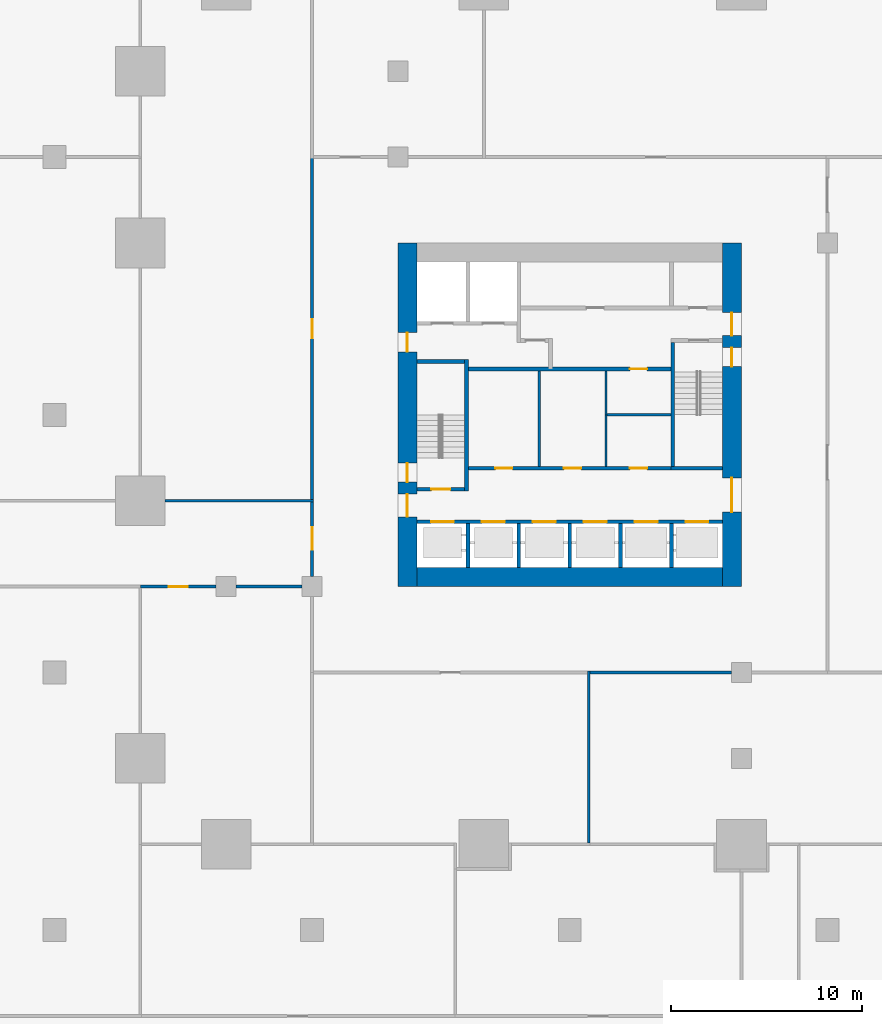
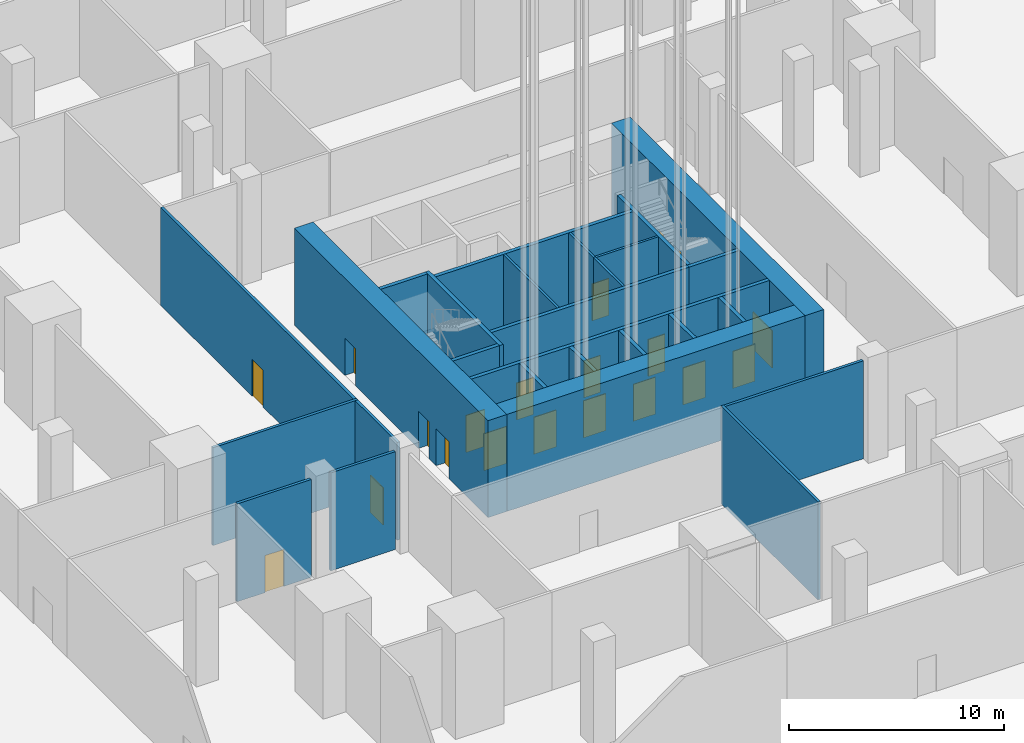
# One storey, part 25 of 68: 27 walls, 20 doors, 20 openings.
"""IFC4 building model written with IfcOpenShell, lengths in metres."""

from ifc_helpers import new_model, si_unit, direction, frame, frame_2d, origin, place, context, subcontext, project, spatial, rectangle, extrude, material, layer, layer_set, type_object, element, fill, save


model = new_model("IFC4")

# Units and contexts
model_context = context("Model", 3, precision=1e-05, world=origin(), true_north=direction((0.0, 1.0)))
body_context = subcontext(model_context, "Body", "Model", "MODEL_VIEW")
ifc_project = project(units=[si_unit("LENGTHUNIT", "METRE"), si_unit("AREAUNIT", "SQUARE_METRE"), si_unit("VOLUMEUNIT", "CUBIC_METRE"), si_unit("PLANEANGLEUNIT", "RADIAN"), si_unit("MASSUNIT", "GRAM", prefix="KILO")], contexts=[model_context])

# Site, building, storey
site_placement = place(None, origin())
site = spatial("IfcSite", under=ifc_project, at=site_placement, CompositionType="ELEMENT")
building_placement = place(site_placement, origin())
building = spatial("IfcBuilding", under=site, at=building_placement, Name="Altepetl Exchange Towers", CompositionType="ELEMENT")
storey_placement = place(building_placement, origin())
storey = spatial("IfcBuildingStorey", under=building, at=storey_placement, Name="L00 Ground concourse", CompositionType="ELEMENT", Elevation=0.0)

# Wall, openings, doors
ifc_material_1 = material(Name="Concrete C70/85", Category="concrete")
ifc_layer_1 = layer(ifc_material_1, 1.0)
ifc_layer_set_1 = layer_set([ifc_layer_1], Name="Concrete C70/85")
wall_type_1 = type_object("IfcWallType", Name="Core wall 1000 reinforced concrete", PredefinedType="SHEAR", material=ifc_layer_set_1)
wall_1_placement = place(storey_placement, frame((58.0, 40.5, 0.0), z_axis=(0.0, 0.0, 1.0), x_axis=(0.0, 1.0, 0.0)))
wall_1 = element("IfcWall", 1, at=wall_1_placement, inside=storey, type_object=wall_type_1, Name="wall:A:L00:K-coreE", PredefinedType="SHEAR", context=body_context, shape_type="SweptSolid", body=[
    extrude(rectangle(XDim=18.0, YDim=1.0, at=frame_2d((9.0, 0.0))), origin(), (0.0, 0.0, 1.0), 5.5),
])
opening_1_placement = place(wall_1_placement, frame((13.14990234375, 0.0, 0.0)))
opening_1 = element("IfcOpeningElement", 2, at=opening_1_placement, cuts=wall_1, Name="Opening L00.A60", PredefinedType="OPENING", context=body_context, shape_type="SweptSolid", body=[
    extrude(rectangle(XDim=1.199951171875, YDim=2.10009765625, at=frame_2d((0.60009765625, 1.050048828125))), frame((0.0, 0.510009765625, 0.0), z_axis=(0.0, -1.0, 0.0), x_axis=(1.0, 0.0, 0.0)), (0.0, 0.0, 1.0), 1.02001953125),
])
opening_2_placement = place(wall_1_placement, frame((3.89990234375, 0.0, 0.0)))
opening_2 = element("IfcOpeningElement", 3, at=opening_2_placement, cuts=wall_1, Name="Opening L00.A61", PredefinedType="OPENING", context=body_context, shape_type="SweptSolid", body=[
    extrude(rectangle(XDim=1.800048828125, YDim=2.10009765625, at=frame_2d((0.89990234375, 1.050048828125))), frame((0.0, 0.510009765625, 0.0), z_axis=(0.0, -1.0, 0.0), x_axis=(1.0, 0.0, 0.0)), (0.0, 0.0, 1.0), 1.02001953125),
])
opening_3_placement = place(wall_1_placement, frame((11.52490234375, 0.0, 0.0)))
opening_3 = element("IfcOpeningElement", 4, at=opening_3_placement, cuts=wall_1, Name="Opening L00.A66", PredefinedType="OPENING", context=body_context, shape_type="SweptSolid", body=[
    extrude(rectangle(XDim=1.0, YDim=2.10009765625, at=frame_2d((0.5, 1.050048828125))), frame((0.0, 0.510009765625, 0.0), z_axis=(0.0, -1.0, 0.0), x_axis=(1.0, 0.0, 0.0)), (0.0, 0.0, 1.0), 1.02001953125),
])
ifc_material_2 = material(Name="Steel and timber fire door", Category="steel")
door_type_1 = type_object("IfcDoorType", Name="Fire door 1000 x 2100 stair and lobby", OperationType="SINGLE_SWING_LEFT", PredefinedType="DOOR", material=ifc_material_2)
door_1_placement = place(opening_3_placement, origin())
door_1 = element("IfcDoor", 5, at=door_1_placement, inside=storey, type_object=door_type_1, Name="door:A:L00:K-dS2x", OperationType="SINGLE_SWING_RIGHT", OverallHeight=2.10009765625, OverallWidth=1.0, PredefinedType="DOOR", context=body_context, shape_type="SweptSolid", body=[
    extrude(rectangle(XDim=1.0, YDim=2.10009765625, at=frame_2d((0.5, 1.050048828125))), frame((0.0, 0.02490234375, 0.0), z_axis=(0.0, -1.0, 0.0), x_axis=(1.0, 0.0, 0.0)), (0.0, 0.0, 1.0), 0.050048828125),
])
fill(opening_3, door_1)
door_type_2 = type_object("IfcDoorType", Name="Fire door 1200 x 2100 lobby entry", OperationType="SINGLE_SWING_LEFT", PredefinedType="DOOR", material=ifc_material_2)
door_2_placement = place(opening_1_placement, origin())
door_2 = element("IfcDoor", 6, at=door_2_placement, inside=storey, type_object=door_type_2, Name="door:A:L00:K-dLNE", OperationType="SINGLE_SWING_RIGHT", OverallHeight=2.10009765625, OverallWidth=1.199951171875, PredefinedType="DOOR", context=body_context, shape_type="SweptSolid", body=[
    extrude(rectangle(XDim=1.199951171875, YDim=2.10009765625, at=frame_2d((0.60009765625, 1.050048828125))), frame((0.0, 0.02490234375, 0.0), z_axis=(0.0, -1.0, 0.0), x_axis=(1.0, 0.0, 0.0)), (0.0, 0.0, 1.0), 0.050048828125),
])
fill(opening_1, door_2)
door_type_3 = type_object("IfcDoorType", Name="Fire door 1800 x 2100 lobby entry", OperationType="DOUBLE_DOOR_SINGLE_SWING", PredefinedType="DOOR", material=ifc_material_2)
door_3_placement = place(opening_2_placement, origin())
door_3 = element("IfcDoor", 7, at=door_3_placement, inside=storey, type_object=door_type_3, Name="door:A:L00:K-dLSE", OperationType="DOUBLE_DOOR_SINGLE_SWING", OverallHeight=2.10009765625, OverallWidth=1.800048828125, PredefinedType="DOOR", context=body_context, shape_type="SweptSolid", body=[
    extrude(rectangle(XDim=1.800048828125, YDim=2.10009765625, at=frame_2d((0.89990234375, 1.050048828125))), frame((0.0, 0.02490234375, 0.0), z_axis=(0.0, -1.0, 0.0), x_axis=(1.0, 0.0, 0.0)), (0.0, 0.0, 1.0), 0.050048828125),
])
fill(opening_2, door_3)

# Wall
wall_2_placement = place(storey_placement, frame((41.5, 41.0, 0.0)))
element("IfcWall", 8, at=wall_2_placement, inside=storey, type_object=wall_type_1, Name="wall:A:L00:K-coreS", PredefinedType="SHEAR", context=body_context, shape_type="SweptSolid", body=[
    extrude(rectangle(XDim=16.0, YDim=1.0, at=frame_2d((8.0, 0.0))), origin(), (0.0, 0.0, 1.0), 5.5),
])

# Wall, openings, doors
wall_3_placement = place(storey_placement, frame((41.0, 40.5, 0.0), z_axis=(0.0, 0.0, 1.0), x_axis=(0.0, 1.0, 0.0)))
wall_3 = element("IfcWall", 9, at=wall_3_placement, inside=storey, type_object=wall_type_1, Name="wall:A:L00:K-coreW", PredefinedType="SHEAR", context=body_context, shape_type="SweptSolid", body=[
    extrude(rectangle(XDim=18.0, YDim=1.0, at=frame_2d((9.0, 0.0))), origin(), (0.0, 0.0, 1.0), 5.5),
])
opening_4_placement = place(wall_3_placement, frame((3.64990234375, 0.0, 0.0)))
opening_4 = element("IfcOpeningElement", 10, at=opening_4_placement, cuts=wall_3, Name="Opening L00.A62", PredefinedType="OPENING", context=body_context, shape_type="SweptSolid", body=[
    extrude(rectangle(XDim=1.199951171875, YDim=2.10009765625, at=frame_2d((0.60009765625, 1.050048828125))), frame((0.0, 0.510009765625, 0.0), z_axis=(0.0, -1.0, 0.0), x_axis=(1.0, 0.0, 0.0)), (0.0, 0.0, 1.0), 1.02001953125),
])
opening_5_placement = place(wall_3_placement, frame((5.47509765625, 0.0, 0.0)))
opening_5 = element("IfcOpeningElement", 11, at=opening_5_placement, cuts=wall_3, Name="Opening L00.A64", PredefinedType="OPENING", context=body_context, shape_type="SweptSolid", body=[
    extrude(rectangle(XDim=1.0, YDim=2.10009765625, at=frame_2d((0.5, 1.050048828125))), frame((0.0, 0.510009765625, 0.0), z_axis=(0.0, -1.0, 0.0), x_axis=(1.0, 0.0, 0.0)), (0.0, 0.0, 1.0), 1.02001953125),
])
opening_6_placement = place(wall_3_placement, frame((12.300048828125, 0.0, 0.0)))
opening_6 = element("IfcOpeningElement", 12, at=opening_6_placement, cuts=wall_3, Name="Opening L00.A68", PredefinedType="OPENING", context=body_context, shape_type="SweptSolid", body=[
    extrude(rectangle(XDim=1.0, YDim=2.10009765625, at=frame_2d((0.5, 1.050048828125))), frame((0.0, 0.510009765625, 0.0), z_axis=(0.0, -1.0, 0.0), x_axis=(1.0, 0.0, 0.0)), (0.0, 0.0, 1.0), 1.02001953125),
])
door_4_placement = place(opening_5_placement, frame((1.0, 0.0, 0.0), x_axis=(-1.0, 0.0, 0.0)))
door_4 = element("IfcDoor", 13, at=door_4_placement, inside=storey, type_object=door_type_1, Name="door:A:L00:K-dS1x", OperationType="SINGLE_SWING_RIGHT", OverallHeight=2.10009765625, OverallWidth=1.0, PredefinedType="DOOR", context=body_context, shape_type="SweptSolid", body=[
    extrude(rectangle(XDim=1.0, YDim=2.10009765625, at=frame_2d((0.5, 1.050048828125))), frame((0.0, 0.02490234375, 0.0), z_axis=(0.0, -1.0, 0.0), x_axis=(1.0, 0.0, 0.0)), (0.0, 0.0, 1.0), 0.050048828125),
])
fill(opening_5, door_4)
door_5_placement = place(opening_6_placement, frame((1.0, 0.0, 0.0), x_axis=(-1.0, 0.0, 0.0)))
door_5 = element("IfcDoor", 14, at=door_5_placement, inside=storey, type_object=door_type_1, Name="door:A:L00:K-dffW", OperationType="SINGLE_SWING_LEFT", OverallHeight=2.10009765625, OverallWidth=1.0, PredefinedType="DOOR", context=body_context, shape_type="SweptSolid", body=[
    extrude(rectangle(XDim=1.0, YDim=2.10009765625, at=frame_2d((0.5, 1.050048828125))), frame((0.0, 0.02490234375, 0.0), z_axis=(0.0, -1.0, 0.0), x_axis=(1.0, 0.0, 0.0)), (0.0, 0.0, 1.0), 0.050048828125),
])
fill(opening_6, door_5)
door_6_placement = place(opening_4_placement, frame((1.199951171875, 0.0, 0.0), x_axis=(-1.0, 0.0, 0.0)))
door_6 = element("IfcDoor", 15, at=door_6_placement, inside=storey, type_object=door_type_2, Name="door:A:L00:K-dLSW", OperationType="SINGLE_SWING_LEFT", OverallHeight=2.10009765625, OverallWidth=1.199951171875, PredefinedType="DOOR", context=body_context, shape_type="SweptSolid", body=[
    extrude(rectangle(XDim=1.199951171875, YDim=2.10009765625, at=frame_2d((0.60009765625, 1.050048828125))), frame((0.0, 0.02490234375, 0.0), z_axis=(0.0, -1.0, 0.0), x_axis=(1.0, 0.0, 0.0)), (0.0, 0.0, 1.0), 0.050048828125),
])
fill(opening_4, door_6)

# Wall, opening, door
ifc_material_3 = material(Name="Concrete blockwork", Category="masonry")
ifc_layer_2 = layer(ifc_material_3, 0.199951171875)
ifc_layer_set_2 = layer_set([ifc_layer_2], Name="Concrete blockwork")
wall_type_2 = type_object("IfcWallType", Name="Lobby wall 200 blockwork", PredefinedType="PARTITIONING", material=ifc_layer_set_2)
wall_4_placement = place(storey_placement, frame((44.199951171875, 51.89990234375, 0.0)))
wall_4 = element("IfcWall", 16, at=wall_4_placement, inside=storey, type_object=wall_type_2, Name="wall:A:L00:K-zoneN", PredefinedType="PARTITIONING", context=body_context, shape_type="SweptSolid", body=[
    extrude(rectangle(XDim=10.60009765625, YDim=0.199951171875, at=frame_2d((5.300048828125, 0.0))), origin(), (0.0, 0.0, 1.0), 5.5),
])
opening_7_placement = place(wall_4_placement, frame((8.449951171875, 0.0, 0.0)))
opening_7 = element("IfcOpeningElement", 17, at=opening_7_placement, cuts=wall_4, Name="Opening L00.A74", PredefinedType="OPENING", context=body_context, shape_type="SweptSolid", body=[
    extrude(rectangle(XDim=0.89990234375, YDim=2.10009765625, at=frame_2d((0.449951171875, 1.050048828125))), frame((0.0, 0.10986328125, 0.0), z_axis=(0.0, -1.0, 0.0), x_axis=(1.0, 0.0, 0.0)), (0.0, 0.0, 1.0), 0.219970703125),
])
door_type_4 = type_object("IfcDoorType", Name="Fire door 900 x 2100 service room", OperationType="SINGLE_SWING_LEFT", PredefinedType="DOOR", material=ifc_material_2)
door_7_placement = place(opening_7_placement, frame((0.89990234375, 0.0, 0.0), x_axis=(-1.0, 0.0, 0.0)))
door_7 = element("IfcDoor", 18, at=door_7_placement, inside=storey, type_object=door_type_4, Name="door:A:L00:K-dz4", OperationType="SINGLE_SWING_LEFT", OverallHeight=2.10009765625, OverallWidth=0.89990234375, PredefinedType="DOOR", context=body_context, shape_type="SweptSolid", body=[
    extrude(rectangle(XDim=0.89990234375, YDim=2.10009765625, at=frame_2d((0.449951171875, 1.050048828125))), frame((0.0, 0.02490234375, 0.0), z_axis=(0.0, -1.0, 0.0), x_axis=(1.0, 0.0, 0.0)), (0.0, 0.0, 1.0), 0.050048828125),
])
fill(opening_7, door_7)

# Wall, openings, doors
wall_5_placement = place(storey_placement, frame((44.199951171875, 46.699951171875, 0.0)))
wall_5 = element("IfcWall", 19, at=wall_5_placement, inside=storey, type_object=wall_type_2, Name="wall:A:L00:K-zoneS", PredefinedType="PARTITIONING", context=body_context, shape_type="SweptSolid", body=[
    extrude(rectangle(XDim=10.60009765625, YDim=0.199951171875, at=frame_2d((5.300048828125, 0.0))), origin(), (0.0, 0.0, 1.0), 5.5),
])
opening_8_placement = place(wall_5_placement, frame((1.39990234375, 0.0, 0.0)))
opening_8 = element("IfcOpeningElement", 20, at=opening_8_placement, cuts=wall_5, Name="Opening L00.A71", PredefinedType="OPENING", context=body_context, shape_type="SweptSolid", body=[
    extrude(rectangle(XDim=0.89990234375, YDim=2.10009765625, at=frame_2d((0.449951171875, 1.050048828125))), frame((0.0, 0.10986328125, 0.0), z_axis=(0.0, -1.0, 0.0), x_axis=(1.0, 0.0, 0.0)), (0.0, 0.0, 1.0), 0.219970703125),
])
opening_9_placement = place(wall_5_placement, frame((5.0, 0.0, 0.0)))
opening_9 = element("IfcOpeningElement", 21, at=opening_9_placement, cuts=wall_5, Name="Opening L00.A72", PredefinedType="OPENING", context=body_context, shape_type="SweptSolid", body=[
    extrude(rectangle(XDim=0.89990234375, YDim=2.10009765625, at=frame_2d((0.449951171875, 1.050048828125))), frame((0.0, 0.10986328125, 0.0), z_axis=(0.0, -1.0, 0.0), x_axis=(1.0, 0.0, 0.0)), (0.0, 0.0, 1.0), 0.219970703125),
])
opening_10_placement = place(wall_5_placement, frame((8.449951171875, 0.0, 0.0)))
opening_10 = element("IfcOpeningElement", 22, at=opening_10_placement, cuts=wall_5, Name="Opening L00.A73", PredefinedType="OPENING", context=body_context, shape_type="SweptSolid", body=[
    extrude(rectangle(XDim=0.89990234375, YDim=2.10009765625, at=frame_2d((0.449951171875, 1.050048828125))), frame((0.0, 0.10986328125, 0.0), z_axis=(0.0, -1.0, 0.0), x_axis=(1.0, 0.0, 0.0)), (0.0, 0.0, 1.0), 0.219970703125),
])
door_8_placement = place(opening_8_placement, origin())
door_8 = element("IfcDoor", 23, at=door_8_placement, inside=storey, type_object=door_type_4, Name="door:A:L00:K-dz1", OperationType="SINGLE_SWING_LEFT", OverallHeight=2.10009765625, OverallWidth=0.89990234375, PredefinedType="DOOR", context=body_context, shape_type="SweptSolid", body=[
    extrude(rectangle(XDim=0.89990234375, YDim=2.10009765625, at=frame_2d((0.449951171875, 1.050048828125))), frame((0.0, 0.02490234375, 0.0), z_axis=(0.0, -1.0, 0.0), x_axis=(1.0, 0.0, 0.0)), (0.0, 0.0, 1.0), 0.050048828125),
])
fill(opening_8, door_8)
door_9_placement = place(opening_9_placement, origin())
door_9 = element("IfcDoor", 24, at=door_9_placement, inside=storey, type_object=door_type_4, Name="door:A:L00:K-dz2", OperationType="SINGLE_SWING_RIGHT", OverallHeight=2.10009765625, OverallWidth=0.89990234375, PredefinedType="DOOR", context=body_context, shape_type="SweptSolid", body=[
    extrude(rectangle(XDim=0.89990234375, YDim=2.10009765625, at=frame_2d((0.449951171875, 1.050048828125))), frame((0.0, 0.02490234375, 0.0), z_axis=(0.0, -1.0, 0.0), x_axis=(1.0, 0.0, 0.0)), (0.0, 0.0, 1.0), 0.050048828125),
])
fill(opening_9, door_9)
door_10_placement = place(opening_10_placement, origin())
door_10 = element("IfcDoor", 25, at=door_10_placement, inside=storey, type_object=door_type_4, Name="door:A:L00:K-dz3", OperationType="SINGLE_SWING_RIGHT", OverallHeight=2.10009765625, OverallWidth=0.89990234375, PredefinedType="DOOR", context=body_context, shape_type="SweptSolid", body=[
    extrude(rectangle(XDim=0.89990234375, YDim=2.10009765625, at=frame_2d((0.449951171875, 1.050048828125))), frame((0.0, 0.02490234375, 0.0), z_axis=(0.0, -1.0, 0.0), x_axis=(1.0, 0.0, 0.0)), (0.0, 0.0, 1.0), 0.050048828125),
])
fill(opening_10, door_10)

# Walls
ifc_material_4 = material(Name="Gypsum board on steel studs", Category="steel")
ifc_layer_3 = layer(ifc_material_4, 0.125)
ifc_layer_set_3 = layer_set([ifc_layer_3], Name="Gypsum board on steel studs")
wall_type_3 = type_object("IfcWallType", Name="Partition 125 gypsum board on steel studs", PredefinedType="PARTITIONING", material=ifc_layer_set_3)
wall_6_placement = place(storey_placement, frame((47.89990234375, 46.800048828125, 0.0), z_axis=(0.0, 0.0, 1.0), x_axis=(0.0, 1.0, 0.0)))
element("IfcWall", 26, at=wall_6_placement, inside=storey, type_object=wall_type_3, Name="wall:A:L00:K-zp1", PredefinedType="PARTITIONING", context=body_context, shape_type="SweptSolid", body=[
    extrude(rectangle(XDim=5.0, YDim=0.125, at=frame_2d((2.5, 0.0))), origin(), (0.0, 0.0, 1.0), 5.5),
])
wall_7_placement = place(storey_placement, frame((51.39990234375, 46.800048828125, 0.0), z_axis=(0.0, 0.0, 1.0), x_axis=(0.0, 1.0, 0.0)))
element("IfcWall", 27, at=wall_7_placement, inside=storey, type_object=wall_type_3, Name="wall:A:L00:K-zp2", PredefinedType="PARTITIONING", context=body_context, shape_type="SweptSolid", body=[
    extrude(rectangle(XDim=2.762451171875, YDim=0.125, at=frame_2d((1.38134765625, 0.0))), origin(), (0.0, 0.0, 1.0), 5.5),
])
wall_8_placement = place(storey_placement, frame((54.800048828125, 49.5, 0.0), z_axis=(0.0, 0.0, 1.0), x_axis=(-1.0, 0.0, 0.0)))
element("IfcWall", 28, at=wall_8_placement, inside=storey, type_object=wall_type_3, Name="wall:A:L00:K-zp3", PredefinedType="PARTITIONING", context=body_context, shape_type="SweptSolid", body=[
    extrude(rectangle(XDim=3.337646484375, YDim=0.125, at=frame_2d((1.6689453125, 0.0))), origin(), (0.0, 0.0, 1.0), 5.5),
])
wall_9_placement = place(storey_placement, frame((51.39990234375, 49.5, 0.0), z_axis=(0.0, 0.0, 1.0), x_axis=(0.0, 1.0, 0.0)))
element("IfcWall", 29, at=wall_9_placement, inside=storey, type_object=wall_type_3, Name="wall:A:L00:K-zp4", PredefinedType="PARTITIONING", context=body_context, shape_type="SweptSolid", body=[
    extrude(rectangle(XDim=2.300048828125, YDim=0.125, at=frame_2d((1.14990234375, 0.0))), origin(), (0.0, 0.0, 1.0), 5.5),
])

# Wall, opening, door
ifc_layer_4 = layer(ifc_material_4, 0.14990234375)
ifc_layer_set_4 = layer_set([ifc_layer_4], Name="Gypsum board on steel studs")
wall_type_4 = type_object("IfcWallType", Name="Podium partition 150", PredefinedType="PARTITIONING", material=ifc_layer_set_4)
wall_10_placement = place(storey_placement, frame((27.0, 40.5, 0.0)))
wall_10 = element("IfcWall", 30, at=wall_10_placement, inside=storey, type_object=wall_type_4, Name="wall:P:L00:P125", PredefinedType="PARTITIONING", context=body_context, shape_type="SweptSolid", body=[
    extrude(rectangle(XDim=3.97998046875, YDim=0.14990234375, at=frame_2d((1.989990234375, 0.0))), origin(), (0.0, 0.0, 1.0), 5.550048828125),
])
opening_11_placement = place(wall_10_placement, frame((1.5, 0.0, 0.0)))
opening_11 = element("IfcOpeningElement", 31, at=opening_11_placement, cuts=wall_10, Name="Opening L00.P024", PredefinedType="OPENING", context=body_context, shape_type="SweptSolid", body=[
    extrude(rectangle(XDim=1.0, YDim=2.10009765625, at=frame_2d((0.5, 1.050048828125))), frame((0.0, 0.0849609375, 0.0), z_axis=(0.0, -1.0, 0.0), x_axis=(1.0, 0.0, 0.0)), (0.0, 0.0, 1.0), 0.169921875),
])
door_type_5 = type_object("IfcDoorType", Name="Podium fire door 1000 x 2100 single leaf", OperationType="SINGLE_SWING_LEFT", PredefinedType="DOOR", material=ifc_material_2)
door_11_placement = place(opening_11_placement, frame((1.0, 0.0, 0.0), x_axis=(-1.0, 0.0, 0.0)))
door_11 = element("IfcDoor", 32, at=door_11_placement, inside=storey, type_object=door_type_5, Name="door:P:L00:024", OperationType="SINGLE_SWING_LEFT", OverallHeight=2.10009765625, OverallWidth=1.0, PredefinedType="DOOR", context=body_context, shape_type="SweptSolid", body=[
    extrude(rectangle(XDim=1.0, YDim=2.10009765625, at=frame_2d((0.5, 1.050048828125))), frame((0.0, 0.02490234375, 0.0), z_axis=(0.0, -1.0, 0.0), x_axis=(1.0, 0.0, 0.0)), (0.0, 0.0, 1.0), 0.050048828125),
])
fill(opening_11, door_11)

# Walls
wall_11_placement = place(storey_placement, frame((32.02001953125, 40.5, 0.0)))
element("IfcWall", 33, at=wall_11_placement, inside=storey, type_object=wall_type_4, Name="wall:P:L00:P126", PredefinedType="PARTITIONING", context=body_context, shape_type="SweptSolid", body=[
    extrude(rectangle(XDim=3.4599609375, YDim=0.14990234375, at=frame_2d((1.72998046875, 0.0))), origin(), (0.0, 0.0, 1.0), 5.550048828125),
])
wall_12_placement = place(storey_placement, frame((28.294921875, 45.0, 0.0)))
element("IfcWall", 34, at=wall_12_placement, inside=storey, type_object=wall_type_4, Name="wall:P:L00:P127", PredefinedType="PARTITIONING", context=body_context, shape_type="SweptSolid", body=[
    extrude(rectangle(XDim=7.780029296875, YDim=0.14990234375, at=frame_2d((3.89013671875, 0.0))), origin(), (0.0, 0.0, 1.0), 5.550048828125),
])

# Wall, opening, door
wall_13_placement = place(storey_placement, frame((36.0, 41.02001953125, 0.0), z_axis=(0.0, 0.0, 1.0), x_axis=(0.0, 1.0, 0.0)))
wall_13 = element("IfcWall", 35, at=wall_13_placement, inside=storey, type_object=wall_type_4, Name="wall:P:L00:P128", PredefinedType="PARTITIONING", context=body_context, shape_type="SweptSolid", body=[
    extrude(rectangle(XDim=3.905029296875, YDim=0.14990234375, at=frame_2d((1.95263671875, 0.0))), origin(), (0.0, 0.0, 1.0), 5.550048828125),
])
opening_12_placement = place(wall_13_placement, frame((1.39990234375, 0.0, 0.0)))
opening_12 = element("IfcOpeningElement", 36, at=opening_12_placement, cuts=wall_13, Name="Opening L00.P084", PredefinedType="OPENING", context=body_context, shape_type="SweptSolid", body=[
    extrude(rectangle(XDim=1.199951171875, YDim=2.10009765625, at=frame_2d((0.60009765625, 1.050048828125))), frame((0.0, 0.0849609375, 0.0), z_axis=(0.0, -1.0, 0.0), x_axis=(1.0, 0.0, 0.0)), (0.0, 0.0, 1.0), 0.169921875),
])
ifc_material_5 = material(Name="Steel fire door", Category="steel")
door_type_6 = type_object("IfcDoorType", Name="Podium fire door 1200 x 2100 double leaf", OperationType="DOUBLE_DOOR_SINGLE_SWING", PredefinedType="DOOR", material=ifc_material_5)
door_12_placement = place(opening_12_placement, origin())
door_12 = element("IfcDoor", 37, at=door_12_placement, inside=storey, type_object=door_type_6, Name="door:P:L00:084", OperationType="DOUBLE_DOOR_SINGLE_SWING", OverallHeight=2.10009765625, OverallWidth=1.199951171875, PredefinedType="DOOR", context=body_context, shape_type="SweptSolid", body=[
    extrude(rectangle(XDim=1.199951171875, YDim=2.10009765625, at=frame_2d((0.60009765625, 1.050048828125))), frame((0.0, 0.02490234375, 0.0), z_axis=(0.0, -1.0, 0.0), x_axis=(1.0, 0.0, 0.0)), (0.0, 0.0, 1.0), 0.050048828125),
])
fill(opening_12, door_12)

wall_14_placement = place(storey_placement, frame((36.0, 45.0, 0.0), z_axis=(0.0, 0.0, 1.0), x_axis=(0.0, 1.0, 0.0)))
wall_14 = element("IfcWall", 38, at=wall_14_placement, inside=storey, type_object=wall_type_4, Name="wall:P:L00:P166", PredefinedType="PARTITIONING", context=body_context, shape_type="SweptSolid", body=[
    extrude(rectangle(XDim=18.0, YDim=0.14990234375, at=frame_2d((9.0, 0.0))), origin(), (0.0, 0.0, 1.0), 5.550048828125),
])
opening_13_placement = place(wall_14_placement, frame((8.5, 0.0, 0.0)))
opening_13 = element("IfcOpeningElement", 39, at=opening_13_placement, cuts=wall_14, Name="Opening L00.P025", PredefinedType="OPENING", context=body_context, shape_type="SweptSolid", body=[
    extrude(rectangle(XDim=1.0, YDim=2.10009765625, at=frame_2d((0.5, 1.050048828125))), frame((0.0, 0.0849609375, 0.0), z_axis=(0.0, -1.0, 0.0), x_axis=(1.0, 0.0, 0.0)), (0.0, 0.0, 1.0), 0.169921875),
])
door_13_placement = place(opening_13_placement, origin())
door_13 = element("IfcDoor", 40, at=door_13_placement, inside=storey, type_object=door_type_5, Name="door:P:L00:025", OperationType="SINGLE_SWING_RIGHT", OverallHeight=2.10009765625, OverallWidth=1.0, PredefinedType="DOOR", context=body_context, shape_type="SweptSolid", body=[
    extrude(rectangle(XDim=1.0, YDim=2.10009765625, at=frame_2d((0.5, 1.050048828125))), frame((0.0, 0.02490234375, 0.0), z_axis=(0.0, -1.0, 0.0), x_axis=(1.0, 0.0, 0.0)), (0.0, 0.0, 1.0), 0.050048828125),
])
fill(opening_13, door_13)

# Walls
wall_15_placement = place(storey_placement, frame((50.5, 27.074951171875, 0.0), z_axis=(0.0, 0.0, 1.0), x_axis=(0.0, 1.0, 0.0)))
element("IfcWall", 41, at=wall_15_placement, inside=storey, type_object=wall_type_4, Name="wall:P:L00:P167", PredefinedType="PARTITIONING", context=body_context, shape_type="SweptSolid", body=[
    extrude(rectangle(XDim=9.0, YDim=0.14990234375, at=frame_2d((4.5, 0.0))), origin(), (0.0, 0.0, 1.0), 5.550048828125),
])
wall_16_placement = place(storey_placement, frame((50.574951171875, 36.0, 0.0)))
element("IfcWall", 42, at=wall_16_placement, inside=storey, type_object=wall_type_4, Name="wall:P:L00:P170", PredefinedType="PARTITIONING", context=body_context, shape_type="SweptSolid", body=[
    extrude(rectangle(XDim=7.405029296875, YDim=0.14990234375, at=frame_2d((3.70263671875, 0.0))), origin(), (0.0, 0.0, 1.0), 5.550048828125),
])
ifc_material_6 = material(Name="Concrete C40/50", Category="concrete")
ifc_layer_5 = layer(ifc_material_6, 0.199951171875)
ifc_layer_set_5 = layer_set([ifc_layer_5], Name="Concrete C40/50")
wall_type_5 = type_object("IfcWallType", Name="Shaft wall 200 reinforced concrete", PredefinedType="SHEAR", material=ifc_layer_set_5)
for number, where, z_axis, x_axis, name in (
    (43, (44.166748046875, 41.5, 0.0), (0.0, 0.0, 1.0), (0.0, 1.0, 0.0), "wall:A:L00:K-divS1"),
    (44, (46.833251953125, 41.5, 0.0), (0.0, 0.0, 1.0), (0.0, 1.0, 0.0), "wall:A:L00:K-divS2"),
    (45, (49.5, 41.5, 0.0), (0.0, 0.0, 1.0), (0.0, 1.0, 0.0), "wall:A:L00:K-divS3"),
    (46, (52.166748046875, 41.5, 0.0), (0.0, 0.0, 1.0), (0.0, 1.0, 0.0), "wall:A:L00:K-divS4"),
    (47, (54.833251953125, 41.5, 0.0), (0.0, 0.0, 1.0), (0.0, 1.0, 0.0), "wall:A:L00:K-divS5"),
):
    element("IfcWall", number, at=place(storey_placement, frame(where, z_axis=z_axis, x_axis=x_axis)), inside=storey, type_object=wall_type_5, Name=name, PredefinedType="SHEAR", context=body_context, shape_type="SweptSolid", body=[
        extrude(rectangle(XDim=2.300048828125, YDim=0.199951171875, at=frame_2d((1.14990234375, 0.0))), origin(), (0.0, 0.0, 1.0), 5.5),
    ])

# Wall, openings, doors
wall_17_placement = place(storey_placement, frame((41.5, 43.89990234375, 0.0)))
wall_17 = element("IfcWall", 48, at=wall_17_placement, inside=storey, type_object=wall_type_5, Name="wall:A:L00:K-frontS", PredefinedType="SHEAR", context=body_context, shape_type="SweptSolid", body=[
    extrude(rectangle(XDim=16.0, YDim=0.199951171875, at=frame_2d((8.0, 0.0))), origin(), (0.0, 0.0, 1.0), 5.5),
])
opening_14_placement = place(wall_17_placement, frame((14.066650390625, 0.0, 0.0)))
opening_14 = element("IfcOpeningElement", 49, at=opening_14_placement, cuts=wall_17, Name="Opening L00.A77", PredefinedType="OPENING", context=body_context, shape_type="SweptSolid", body=[
    extrude(rectangle(XDim=1.199951171875, YDim=2.10009765625, at=frame_2d((0.60009765625, 1.050048828125))), frame((0.0, 0.10986328125, 0.0), z_axis=(0.0, -1.0, 0.0), x_axis=(1.0, 0.0, 0.0)), (0.0, 0.0, 1.0), 0.219970703125),
])
opening_15_placement = place(wall_17_placement, frame((0.7333984375, 0.0, 0.0)))
opening_15 = element("IfcOpeningElement", 50, at=opening_15_placement, cuts=wall_17, Name="Opening L00.A78", PredefinedType="OPENING", context=body_context, shape_type="SweptSolid", body=[
    extrude(rectangle(XDim=1.199951171875, YDim=2.10009765625, at=frame_2d((0.60009765625, 1.050048828125))), frame((0.0, 0.10986328125, 0.0), z_axis=(0.0, -1.0, 0.0), x_axis=(1.0, 0.0, 0.0)), (0.0, 0.0, 1.0), 0.219970703125),
])
opening_16_placement = place(wall_17_placement, frame((3.39990234375, 0.0, 0.0)))
opening_16 = element("IfcOpeningElement", 51, at=opening_16_placement, cuts=wall_17, Name="Opening L00.A79", PredefinedType="OPENING", context=body_context, shape_type="SweptSolid", body=[
    extrude(rectangle(XDim=1.199951171875, YDim=2.10009765625, at=frame_2d((0.60009765625, 1.050048828125))), frame((0.0, 0.10986328125, 0.0), z_axis=(0.0, -1.0, 0.0), x_axis=(1.0, 0.0, 0.0)), (0.0, 0.0, 1.0), 0.219970703125),
])
opening_17_placement = place(wall_17_placement, frame((6.066650390625, 0.0, 0.0)))
opening_17 = element("IfcOpeningElement", 52, at=opening_17_placement, cuts=wall_17, Name="Opening L00.A80", PredefinedType="OPENING", context=body_context, shape_type="SweptSolid", body=[
    extrude(rectangle(XDim=1.199951171875, YDim=2.10009765625, at=frame_2d((0.60009765625, 1.050048828125))), frame((0.0, 0.10986328125, 0.0), z_axis=(0.0, -1.0, 0.0), x_axis=(1.0, 0.0, 0.0)), (0.0, 0.0, 1.0), 0.219970703125),
])
opening_18_placement = place(wall_17_placement, frame((8.7333984375, 0.0, 0.0)))
opening_18 = element("IfcOpeningElement", 53, at=opening_18_placement, cuts=wall_17, Name="Opening L00.A81", PredefinedType="OPENING", context=body_context, shape_type="SweptSolid", body=[
    extrude(rectangle(XDim=1.199951171875, YDim=2.10009765625, at=frame_2d((0.60009765625, 1.050048828125))), frame((0.0, 0.10986328125, 0.0), z_axis=(0.0, -1.0, 0.0), x_axis=(1.0, 0.0, 0.0)), (0.0, 0.0, 1.0), 0.219970703125),
])
opening_19_placement = place(wall_17_placement, frame((11.39990234375, 0.0, 0.0)))
opening_19 = element("IfcOpeningElement", 54, at=opening_19_placement, cuts=wall_17, Name="Opening L00.A82", PredefinedType="OPENING", context=body_context, shape_type="SweptSolid", body=[
    extrude(rectangle(XDim=1.199951171875, YDim=2.10009765625, at=frame_2d((0.60009765625, 1.050048828125))), frame((0.0, 0.10986328125, 0.0), z_axis=(0.0, -1.0, 0.0), x_axis=(1.0, 0.0, 0.0)), (0.0, 0.0, 1.0), 0.219970703125),
])
ifc_material_7 = material(Name="Stainless steel", Category="steel")
door_type_7 = type_object("IfcDoorType", Name="Lift landing door 1200 x 2100", OperationType="SLIDING_TO_LEFT", PredefinedType="DOOR", material=ifc_material_7)
door_14_placement = place(opening_14_placement, origin())
door_14 = element("IfcDoor", 55, at=door_14_placement, inside=storey, type_object=door_type_7, Name="Landing door OBS1", OperationType="SLIDING_TO_LEFT", OverallHeight=2.10009765625, OverallWidth=1.199951171875, PredefinedType="DOOR", context=body_context, shape_type="SweptSolid", body=[
    extrude(rectangle(XDim=1.199951171875, YDim=2.10009765625, at=frame_2d((0.60009765625, 1.050048828125))), frame((0.0, 0.02490234375, 0.0), z_axis=(0.0, -1.0, 0.0), x_axis=(1.0, 0.0, 0.0)), (0.0, 0.0, 1.0), 0.050048828125),
])
fill(opening_14, door_14)
door_15_placement = place(opening_15_placement, origin())
door_15 = element("IfcDoor", 56, at=door_15_placement, inside=storey, type_object=door_type_7, Name="Landing door P1", OperationType="SLIDING_TO_LEFT", OverallHeight=2.10009765625, OverallWidth=1.199951171875, PredefinedType="DOOR", context=body_context, shape_type="SweptSolid", body=[
    extrude(rectangle(XDim=1.199951171875, YDim=2.10009765625, at=frame_2d((0.60009765625, 1.050048828125))), frame((0.0, 0.02490234375, 0.0), z_axis=(0.0, -1.0, 0.0), x_axis=(1.0, 0.0, 0.0)), (0.0, 0.0, 1.0), 0.050048828125),
])
fill(opening_15, door_15)
door_16_placement = place(opening_16_placement, origin())
door_16 = element("IfcDoor", 57, at=door_16_placement, inside=storey, type_object=door_type_7, Name="Landing door P2", OperationType="SLIDING_TO_LEFT", OverallHeight=2.10009765625, OverallWidth=1.199951171875, PredefinedType="DOOR", context=body_context, shape_type="SweptSolid", body=[
    extrude(rectangle(XDim=1.199951171875, YDim=2.10009765625, at=frame_2d((0.60009765625, 1.050048828125))), frame((0.0, 0.02490234375, 0.0), z_axis=(0.0, -1.0, 0.0), x_axis=(1.0, 0.0, 0.0)), (0.0, 0.0, 1.0), 0.050048828125),
])
fill(opening_16, door_16)
door_17_placement = place(opening_17_placement, origin())
door_17 = element("IfcDoor", 58, at=door_17_placement, inside=storey, type_object=door_type_7, Name="Landing door P3", OperationType="SLIDING_TO_LEFT", OverallHeight=2.10009765625, OverallWidth=1.199951171875, PredefinedType="DOOR", context=body_context, shape_type="SweptSolid", body=[
    extrude(rectangle(XDim=1.199951171875, YDim=2.10009765625, at=frame_2d((0.60009765625, 1.050048828125))), frame((0.0, 0.02490234375, 0.0), z_axis=(0.0, -1.0, 0.0), x_axis=(1.0, 0.0, 0.0)), (0.0, 0.0, 1.0), 0.050048828125),
])
fill(opening_17, door_17)
door_18_placement = place(opening_18_placement, origin())
door_18 = element("IfcDoor", 59, at=door_18_placement, inside=storey, type_object=door_type_7, Name="Landing door P4", OperationType="SLIDING_TO_LEFT", OverallHeight=2.10009765625, OverallWidth=1.199951171875, PredefinedType="DOOR", context=body_context, shape_type="SweptSolid", body=[
    extrude(rectangle(XDim=1.199951171875, YDim=2.10009765625, at=frame_2d((0.60009765625, 1.050048828125))), frame((0.0, 0.02490234375, 0.0), z_axis=(0.0, -1.0, 0.0), x_axis=(1.0, 0.0, 0.0)), (0.0, 0.0, 1.0), 0.050048828125),
])
fill(opening_18, door_18)
door_19_placement = place(opening_19_placement, origin())
door_19 = element("IfcDoor", 60, at=door_19_placement, inside=storey, type_object=door_type_7, Name="Landing door SH1", OperationType="SLIDING_TO_LEFT", OverallHeight=2.10009765625, OverallWidth=1.199951171875, PredefinedType="DOOR", context=body_context, shape_type="SweptSolid", body=[
    extrude(rectangle(XDim=1.199951171875, YDim=2.10009765625, at=frame_2d((0.60009765625, 1.050048828125))), frame((0.0, 0.02490234375, 0.0), z_axis=(0.0, -1.0, 0.0), x_axis=(1.0, 0.0, 0.0)), (0.0, 0.0, 1.0), 0.050048828125),
])
fill(opening_19, door_19)

# Walls
ifc_layer_6 = layer(ifc_material_6, 0.199951171875)
ifc_layer_set_6 = layer_set([ifc_layer_6], Name="Concrete C40/50")
wall_type_6 = type_object("IfcWallType", Name="Stair wall 200 reinforced concrete", PredefinedType="SHEAR", material=ifc_layer_set_6)
wall_18_placement = place(storey_placement, frame((44.10009765625, 45.5, 0.0), z_axis=(0.0, 0.0, 1.0), x_axis=(0.0, 1.0, 0.0)))
element("IfcWall", 61, at=wall_18_placement, inside=storey, type_object=wall_type_6, Name="wall:A:L00:K-stS1E", PredefinedType="SHEAR", context=body_context, shape_type="SweptSolid", body=[
    extrude(rectangle(XDim=6.89990234375, YDim=0.199951171875, at=frame_2d((3.449951171875, 0.0))), origin(), (0.0, 0.0, 1.0), 5.5),
])
wall_19_placement = place(storey_placement, frame((41.5, 52.300048828125, 0.0)))
element("IfcWall", 62, at=wall_19_placement, inside=storey, type_object=wall_type_6, Name="wall:A:L00:K-stS1N", PredefinedType="SHEAR", context=body_context, shape_type="SweptSolid", body=[
    extrude(rectangle(XDim=2.5, YDim=0.199951171875, at=frame_2d((1.25, 0.0))), origin(), (0.0, 0.0, 1.0), 5.5),
])

# Wall, opening, door
wall_20_placement = place(storey_placement, frame((41.5, 45.60009765625, 0.0)))
wall_20 = element("IfcWall", 63, at=wall_20_placement, inside=storey, type_object=wall_type_6, Name="wall:A:L00:K-stS1S", PredefinedType="SHEAR", context=body_context, shape_type="SweptSolid", body=[
    extrude(rectangle(XDim=2.5, YDim=0.199951171875, at=frame_2d((1.25, 0.0))), origin(), (0.0, 0.0, 1.0), 5.5),
])
opening_20_placement = place(wall_20_placement, frame((0.75, 0.0, 0.0)))
opening_20 = element("IfcOpeningElement", 64, at=opening_20_placement, cuts=wall_20, Name="Opening L00.A63", PredefinedType="OPENING", context=body_context, shape_type="SweptSolid", body=[
    extrude(rectangle(XDim=1.0, YDim=2.10009765625, at=frame_2d((0.5, 1.050048828125))), frame((0.0, 0.10986328125, 0.0), z_axis=(0.0, -1.0, 0.0), x_axis=(1.0, 0.0, 0.0)), (0.0, 0.0, 1.0), 0.219970703125),
])
door_20_placement = place(opening_20_placement, origin())
door_20 = element("IfcDoor", 65, at=door_20_placement, inside=storey, type_object=door_type_1, Name="door:A:L00:K-dS1in", OperationType="SINGLE_SWING_RIGHT", OverallHeight=2.10009765625, OverallWidth=1.0, PredefinedType="DOOR", context=body_context, shape_type="SweptSolid", body=[
    extrude(rectangle(XDim=1.0, YDim=2.10009765625, at=frame_2d((0.5, 1.050048828125))), frame((0.0, 0.02490234375, 0.0), z_axis=(0.0, -1.0, 0.0), x_axis=(1.0, 0.0, 0.0)), (0.0, 0.0, 1.0), 0.050048828125),
])
fill(opening_20, door_20)

# Walls
wall_21_placement = place(storey_placement, frame((54.800048828125, 46.699951171875, 0.0)))
element("IfcWall", 66, at=wall_21_placement, inside=storey, type_object=wall_type_6, Name="wall:A:L00:K-stS2S", PredefinedType="SHEAR", context=body_context, shape_type="SweptSolid", body=[
    extrude(rectangle(XDim=2.699951171875, YDim=0.199951171875, at=frame_2d((1.35009765625, 0.0))), origin(), (0.0, 0.0, 1.0), 5.5),
])
wall_22_placement = place(storey_placement, frame((54.89990234375, 46.800048828125, 0.0), z_axis=(0.0, 0.0, 1.0), x_axis=(0.0, 1.0, 0.0)))
element("IfcWall", 67, at=wall_22_placement, inside=storey, type_object=wall_type_6, Name="wall:A:L00:K-stS2W", PredefinedType="SHEAR", context=body_context, shape_type="SweptSolid", body=[
    extrude(rectangle(XDim=6.5, YDim=0.199951171875, at=frame_2d((3.25, 0.0))), origin(), (0.0, 0.0, 1.0), 5.5),
])

save(model, "model.ifc")
